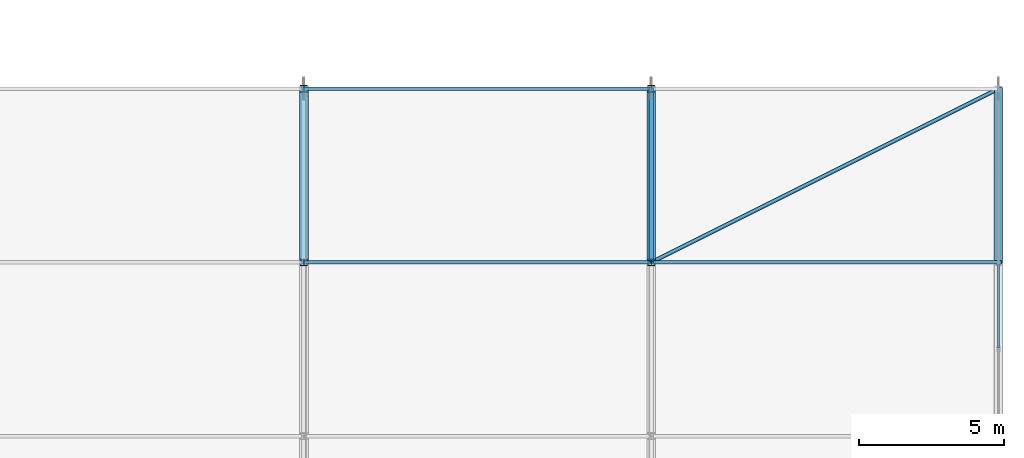
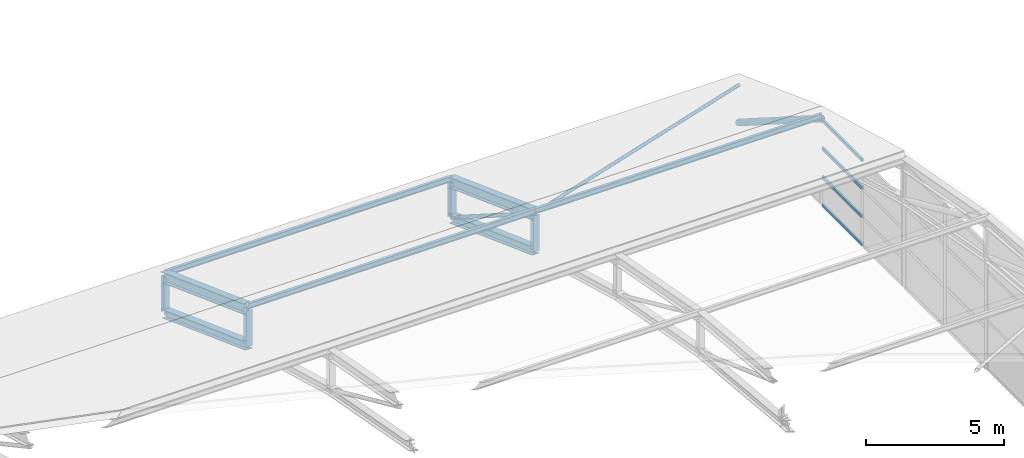
# One storey, part 115 of 204: 18 members, 1 element without a shape of its own.
"""IFC4 building model written with IfcOpenShell, lengths in metres."""

from ifc_helpers import new_model, si_unit, direction, frame, origin, origin_2d, place, context, subcontext, project, spatial, hollow_rectangle, hollow_circle, i_section, extrude, material, layer, layer_set, material_profile, profile_set, type_object, element, aggregate, save


model = new_model("IFC4")

# Units and contexts
model_context = context("Model", 3, precision=1e-05, world=origin(), true_north=direction((0.0, 1.0)))
body_context = subcontext(model_context, "Body", "Model", "MODEL_VIEW")
ifc_project = project(units=[si_unit("LENGTHUNIT", "METRE"), si_unit("AREAUNIT", "SQUARE_METRE"), si_unit("VOLUMEUNIT", "CUBIC_METRE"), si_unit("PLANEANGLEUNIT", "RADIAN"), si_unit("MASSUNIT", "GRAM", prefix="KILO")], contexts=[model_context])

# Site, building, storey
site_placement = place(None, origin())
site = spatial("IfcSite", under=ifc_project, at=site_placement, CompositionType="ELEMENT")
building_placement = place(site_placement, origin())
building = spatial("IfcBuilding", under=site, at=building_placement, Name="Zilviju Railside Exhibition Hall", CompositionType="ELEMENT")
storey_placement = place(building_placement, frame((0.0, 0.0, 21.0)))
storey = spatial("IfcBuildingStorey", under=building, at=storey_placement, Name="RF", CompositionType="ELEMENT", Elevation=21.0)

# Curtain wall, members
ifc_material_1 = material(Name="Thermally broken aluminium-steel triple-glazed curtain wall", Category="steel")
ifc_layer = layer(ifc_material_1, 0.179931640625)
ifc_layer_set = layer_set([ifc_layer], Name="Thermally broken aluminium-steel triple-glazed curtain wall")
curtain_wall_type = type_object("IfcCurtainWallType", Name="CW-BAY-05", PredefinedType="USERDEFINED", material=ifc_layer_set)
curtain_wall_placement = place(storey_placement, origin())
curtain_wall = element("IfcCurtainWall", 1, at=curtain_wall_placement, inside=storey, type_object=curtain_wall_type, Name="South Hall Arch Tympanum Glazing East P8", ObjectType="GLAZED CURTAIN WALL", PredefinedType="USERDEFINED")
ifc_material_2 = material(Name="Thermally broken anodized aluminium transom", Category="aluminium")
ifc_material_profile_1 = material_profile(ifc_material_2, hollow_rectangle(XDim=0.074951171875, YDim=0.139892578125, WallThickness=0.0048828125, at=origin_2d()), Name="TRANSOM 140x75x5")
ifc_profile_set_1 = profile_set([ifc_material_profile_1], Name="Thermally broken anodized aluminium transom")
member_type_1 = type_object("IfcMemberType", Name="CWT-75x140", PredefinedType="USERDEFINED", material=ifc_profile_set_1)
member_1_placement = place(storey_placement, frame((216.0, 47.925048828125, -7.762451171875), z_axis=(0.0, -1.0, 0.0), x_axis=(1.0, 0.0, 0.0)))
member_1 = element("IfcMember", 2, at=member_1_placement, type_object=member_type_1, Name="CW-05 transom 1.1", ObjectType="TRANSOM", PredefinedType="USERDEFINED", context=body_context, shape_type="SweptSolid", body=[
    extrude(hollow_rectangle(XDim=0.074951171875, YDim=0.139892578125, WallThickness=0.0048828125, at=origin_2d()), origin(), (0.0, 0.0, 1.0), 2.887451171875),
])
member_2_placement = place(storey_placement, frame((216.0, 47.925048828125, -6.529052734375), z_axis=(0.0, -1.0, 0.0), x_axis=(1.0, 0.0, 0.0)))
member_2 = element("IfcMember", 3, at=member_2_placement, type_object=member_type_1, Name="CW-05 transom 1.2", ObjectType="TRANSOM", PredefinedType="USERDEFINED", context=body_context, shape_type="SweptSolid", body=[
    extrude(hollow_rectangle(XDim=0.074951171875, YDim=0.139892578125, WallThickness=0.0048828125, at=origin_2d()), origin(), (0.0, 0.0, 1.0), 2.887451171875),
])
member_3_placement = place(storey_placement, frame((216.0, 47.925048828125, -5.259033203125), z_axis=(0.0, -1.0, 0.0), x_axis=(1.0, 0.0, 0.0)))
member_3 = element("IfcMember", 4, at=member_3_placement, type_object=member_type_1, Name="CW-05 transom 1.3", ObjectType="TRANSOM", PredefinedType="USERDEFINED", context=body_context, shape_type="SweptSolid", body=[
    extrude(hollow_rectangle(XDim=0.074951171875, YDim=0.139892578125, WallThickness=0.0048828125, at=origin_2d()), origin(), (0.0, 0.0, 1.0), 2.887451171875),
])
member_4_placement = place(storey_placement, frame((216.0, 47.925048828125, -4.025390625), z_axis=(0.0, -1.0, 0.0), x_axis=(1.0, 0.0, 0.0)))
member_4 = element("IfcMember", 5, at=member_4_placement, type_object=member_type_1, Name="CW-05 transom 1.4", ObjectType="TRANSOM", PredefinedType="USERDEFINED", context=body_context, shape_type="SweptSolid", body=[
    extrude(hollow_rectangle(XDim=0.074951171875, YDim=0.139892578125, WallThickness=0.0048828125, at=origin_2d()), origin(), (0.0, 0.0, 1.0), 2.887451171875),
])
aggregate(curtain_wall, [member_1, member_2, member_3, member_4])

# Members
ifc_material_3 = material(Name="Steel S355J2", Category="steel")
ifc_material_profile_2 = material_profile(ifc_material_3, hollow_circle(Radius=0.06982421875, WallThickness=0.00634765625, at=origin_2d()), Name="CHS 139.7x6.3")
ifc_profile_set_2 = profile_set([ifc_material_profile_2], Name="Steel S355J2")
member_type_2 = type_object("IfcMemberType", Name="TR-BR-CHS139", PredefinedType="BRACE", material=ifc_profile_set_2)
member_5_placement = place(storey_placement, frame((204.0, 48.0, -3.964599609375), z_axis=(0.882894984091, 0.441447492045, -0.160064233464), x_axis=(-0.4472135955, 0.894427191, 0.0)))
element("IfcMember", 6, at=member_5_placement, inside=storey, type_object=member_type_2, Name="V1 Roof Wind Brace (204.0..216.0)", PredefinedType="BRACE", context=body_context, shape_type="SweptSolid", body=[
    extrude(hollow_circle(Radius=0.06982421875, WallThickness=0.00634765625, at=origin_2d()), origin(), (0.0, 0.0, 1.0), 13.591552734375),
])
ifc_material_profile_3 = material_profile(ifc_material_3, hollow_circle(Radius=0.084228515625, WallThickness=0.008056640625, at=origin_2d()), Name="CHS 168.3x8.0")
ifc_profile_set_3 = profile_set([ifc_material_profile_3], Name="Steel S355J2")
member_type_3 = type_object("IfcMemberType", Name="TR-BR-CHS168", PredefinedType="BRACE", material=ifc_profile_set_3)
member_6_placement = place(storey_placement, frame((204.0, 48.0, -3.987548828125), z_axis=(0.0, 0.844023315733, -0.536306481872), x_axis=(-1.0, 0.0, 0.0)))
element("IfcMember", 7, at=member_6_placement, inside=storey, type_object=member_type_3, Name="V1 Parabolic Arch Web Diagonal X=204.0 P9", PredefinedType="BRACE", context=body_context, shape_type="SweptSolid", body=[
    extrude(hollow_circle(Radius=0.084228515625, WallThickness=0.008056640625, at=origin_2d()), origin(), (0.0, 0.0, 1.0), 7.10888671875),
])
ifc_material_4 = material(Name="Steel S355ML", Category="steel")
ifc_material_profile_4 = material_profile(ifc_material_4, hollow_circle(Radius=0.136474609375, WallThickness=0.012451171875, at=origin_2d()), Name="CHS 273.0x12.5")
ifc_profile_set_4 = profile_set([ifc_material_profile_4], Name="Steel S355ML")
member_type_4 = type_object("IfcMemberType", Name="TR-BR-CHS273", PredefinedType="BRACE", material=ifc_profile_set_4)
member_7_placement = place(storey_placement, frame((216.0, 48.0, -3.987548828125), z_axis=(0.0, 0.844023315733, -0.536306481872), x_axis=(-1.0, 0.0, 0.0)))
element("IfcMember", 8, at=member_7_placement, inside=storey, type_object=member_type_4, Name="V1 Parabolic Arch Web Diagonal X=216.0 P9", PredefinedType="BRACE", context=body_context, shape_type="SweptSolid", body=[
    extrude(hollow_circle(Radius=0.136474609375, WallThickness=0.012451171875, at=origin_2d()), origin(), (0.0, 0.0, 1.0), 7.10888671875),
])
ifc_material_profile_5 = material_profile(ifc_material_3, i_section(OverallWidth=0.300048828125, OverallDepth=0.360107421875, WebThickness=0.012451171875, FlangeThickness=0.0224609375, at=origin_2d()), Name="HEB 360")
ifc_profile_set_5 = profile_set([ifc_material_profile_5], Name="Steel S355J2")
member_type_5 = type_object("IfcMemberType", Name="TR-CH-HEB360", PredefinedType="CHORD", material=ifc_profile_set_5)
for number, where, z_axis, x_axis, name in (
    (9, (192.0, 48.0, -5.587646484375), (0.0, 0.938247917098, -0.345963648468), (-1.0, 0.0, 0.0), "V1 Parabolic Arch Bottom Chord X=192.0 P9"),
    (10, (204.0, 48.0, -5.587646484375), (0.0, 0.938247917098, -0.345963648468), (-1.0, 0.0, 0.0), "V1 Parabolic Arch Bottom Chord X=204.0 P9"),
):
    element("IfcMember", number, at=place(storey_placement, frame(where, z_axis=z_axis, x_axis=x_axis)), inside=storey, type_object=member_type_5, Name=name, PredefinedType="CHORD", context=body_context, shape_type="SweptSolid", body=[
        extrude(i_section(OverallWidth=0.300048828125, OverallDepth=0.360107421875, WebThickness=0.012451171875, FlangeThickness=0.0224609375, at=origin_2d()), origin(), (0.0, 0.0, 1.0), 6.39501953125),
    ])
ifc_material_profile_6 = material_profile(ifc_material_3, i_section(OverallWidth=0.300048828125, OverallDepth=0.449951171875, WebThickness=0.013916015625, FlangeThickness=0.02587890625, at=origin_2d()), Name="HEB 450")
ifc_profile_set_6 = profile_set([ifc_material_profile_6], Name="Steel S355J2")
member_type_6 = type_object("IfcMemberType", Name="TR-CH-HEB450", PredefinedType="CHORD", material=ifc_profile_set_6)
for number, where, z_axis, x_axis, name in (
    (11, (192.0, 48.0, -3.987548828125), (0.0, 0.938247917098, -0.345963648468), (-1.0, 0.0, 0.0), "V1 Parabolic Arch Top Chord X=192.0 P9"),
    (12, (204.0, 48.0, -3.987548828125), (0.0, 0.938247917098, -0.345963648468), (-1.0, 0.0, 0.0), "V1 Parabolic Arch Top Chord X=204.0 P9"),
):
    element("IfcMember", number, at=place(storey_placement, frame(where, z_axis=z_axis, x_axis=x_axis)), inside=storey, type_object=member_type_6, Name=name, PredefinedType="CHORD", context=body_context, shape_type="SweptSolid", body=[
        extrude(i_section(OverallWidth=0.300048828125, OverallDepth=0.449951171875, WebThickness=0.013916015625, FlangeThickness=0.02587890625, at=origin_2d()), origin(), (0.0, 0.0, 1.0), 6.39501953125),
    ])
ifc_material_profile_7 = material_profile(ifc_material_3, i_section(OverallWidth=0.239990234375, OverallDepth=0.22998046875, WebThickness=0.007568359375, FlangeThickness=0.011962890625, at=origin_2d()), Name="HEA 240")
ifc_profile_set_7 = profile_set([ifc_material_profile_7], Name="Steel S355J2")
member_type_7 = type_object("IfcMemberType", Name="TR-POST-HEA240", PredefinedType="POST", material=ifc_profile_set_7)
for number, where, z_axis, x_axis, name in (
    (13, (192.0, 48.0, -5.587646484375), (0.0, 0.0, 1.0), (1.0, 0.0, 0.0), "V1 Parabolic Arch Web Post X=192.0 N8"),
    (14, (192.0, 54.0, -7.800048828125), (0.0, 0.0, 1.0), (1.0, 0.0, 0.0), "V1 Parabolic Arch Web Post X=192.0 N9"),
    (15, (204.0, 48.0, -5.587646484375), (0.0, 0.0, 1.0), (1.0, 0.0, 0.0), "V1 Parabolic Arch Web Post X=204.0 N8"),
    (16, (204.0, 54.0, -7.800048828125), (0.0, 0.0, 1.0), (1.0, 0.0, 0.0), "V1 Parabolic Arch Web Post X=204.0 N9"),
):
    element("IfcMember", number, at=place(storey_placement, frame(where, z_axis=z_axis, x_axis=x_axis)), inside=storey, type_object=member_type_7, Name=name, PredefinedType="POST", context=body_context, shape_type="SweptSolid", body=[
        extrude(i_section(OverallWidth=0.239990234375, OverallDepth=0.22998046875, WebThickness=0.007568359375, FlangeThickness=0.011962890625, at=origin_2d()), origin(), (0.0, 0.0, 1.0), 1.60009765625),
    ])
ifc_material_profile_8 = material_profile(ifc_material_3, i_section(OverallWidth=0.1201171875, OverallDepth=0.239990234375, WebThickness=0.006103515625, FlangeThickness=0.009765625, at=origin_2d()), Name="IPE 240")
ifc_profile_set_8 = profile_set([ifc_material_profile_8], Name="Steel S355J2")
member_type_8 = type_object("IfcMemberType", Name="TR-PUR-IPE240", PredefinedType="PURLIN", material=ifc_profile_set_8)
for number, where, z_axis, x_axis, name in (
    (17, (192.0, 48.0, -3.864990234375), (1.0, 0.0, 0.0), (0.0, 1.0, 0.0), "V1 Barrel Vault Roof Purlin Y=48.0 (192.0..204.0)"),
    (18, (192.0, 54.0, -6.05517578125), (1.0, 0.0, 0.0), (0.0, 1.0, 0.0), "V1 Barrel Vault Roof Purlin Y=54.0 (192.0..204.0)"),
    (19, (204.0, 48.0, -3.864990234375), (1.0, 0.0, 0.0), (0.0, 1.0, 0.0), "V1 Barrel Vault Roof Purlin Y=48.0 (204.0..216.0)"),
):
    element("IfcMember", number, at=place(storey_placement, frame(where, z_axis=z_axis, x_axis=x_axis)), inside=storey, type_object=member_type_8, Name=name, PredefinedType="PURLIN", context=body_context, shape_type="SweptSolid", body=[
        extrude(i_section(OverallWidth=0.1201171875, OverallDepth=0.239990234375, WebThickness=0.006103515625, FlangeThickness=0.009765625, at=origin_2d()), origin(), (0.0, 0.0, 1.0), 12.0),
    ])

save(model, "model.ifc")
